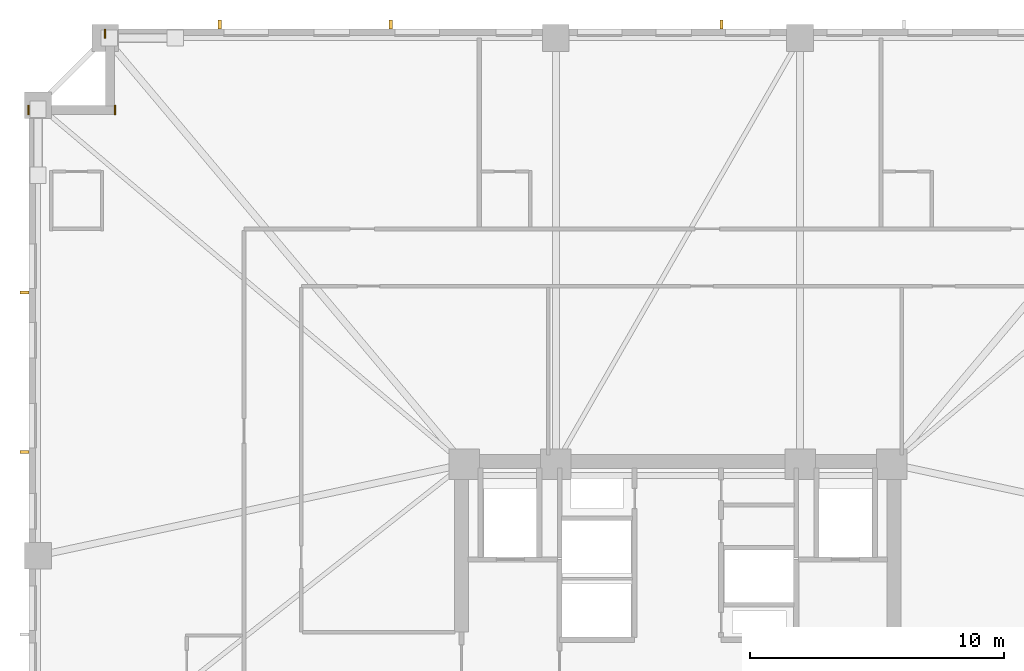
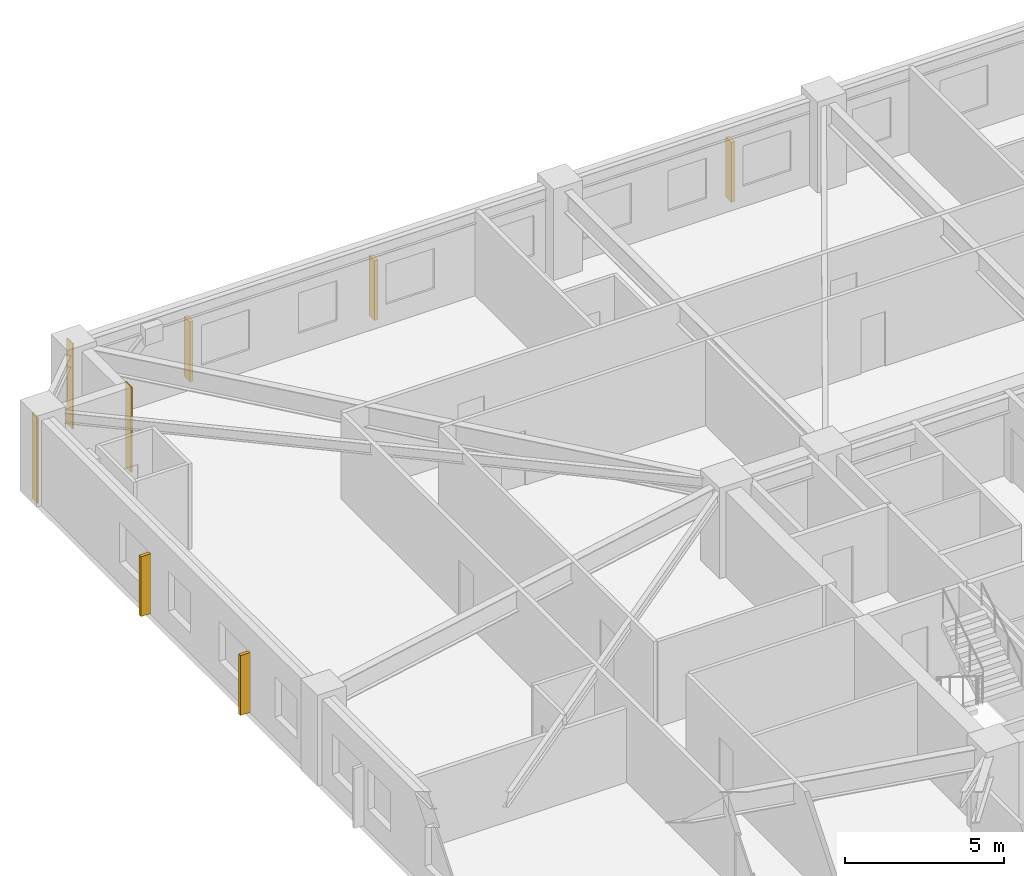
# One storey, part 10 of 11: 5 shading devices, 3 coverings.
"""IFC4 building model written with IfcOpenShell, lengths in metres."""

from ifc_helpers import new_model, si_unit, direction, frame, frame_2d, origin, origin_2d, place, context, subcontext, project, spatial, rectangle, extrude, material, layer, layer_set, type_object, element, save


model = new_model("IFC4")

# Units and contexts
model_context = context("Model", 3, precision=1e-05, world=origin(), true_north=direction((0.0, 1.0)))
body_context = subcontext(model_context, "Body", "Model", "MODEL_VIEW")
ifc_project = project(units=[si_unit("LENGTHUNIT", "METRE"), si_unit("AREAUNIT", "SQUARE_METRE"), si_unit("VOLUMEUNIT", "CUBIC_METRE"), si_unit("PLANEANGLEUNIT", "RADIAN"), si_unit("MASSUNIT", "GRAM", prefix="KILO")], contexts=[model_context])

# Site, building, storey
site_placement = place(None, origin())
site = spatial("IfcSite", under=ifc_project, at=site_placement, CompositionType="ELEMENT")
building_placement = place(site_placement, origin())
building = spatial("IfcBuilding", under=site, at=building_placement, Name="Cairnveth Concourse Tower", CompositionType="ELEMENT")
storey_placement = place(building_placement, frame((0.0, 0.0, 65.5)))
storey = spatial("IfcBuildingStorey", under=building, at=storey_placement, Name="L17", CompositionType="ELEMENT", Elevation=65.5)

# Coverings
ifc_material_1 = material(Name="Dressed Melbourne Bluestone Cladding", Category="masonry")
ifc_layer = layer(ifc_material_1, 0.050048828125)
ifc_layer_set = layer_set([ifc_layer], Name="Dressed Melbourne Bluestone Cladding")
covering_type = type_object("IfcCoveringType", Name="DRESSED BLUESTONE PLINTH CLADDING 50", PredefinedType="CLADDING", material=ifc_layer_set)
for number, where, z_axis, x_axis, name in (
    (1, (26.47998046875, 61.139892578125, 0.0), (0.0, 0.0, 1.0), (0.0, 1.0, 0.0), "Melbourne Bluestone Corner Quoin L17-222"),
    (2, (29.8798828125, 61.139892578125, 0.0), (0.0, 0.0, 1.0), (0.0, 1.0, 0.0), "Melbourne Bluestone Corner Quoin L17-223"),
    (3, (29.47998046875, 64.139892578125, 0.0), (0.0, 0.0, 1.0), (0.0, 1.0, 0.0), "Melbourne Bluestone Corner Quoin L17-224"),
):
    element("IfcCovering", number, at=place(storey_placement, frame(where, z_axis=z_axis, x_axis=x_axis)), inside=storey, type_object=covering_type, Name=name, PredefinedType="CLADDING", context=body_context, shape_type="SweptSolid", body=[
        extrude(rectangle(XDim=0.360107421875, YDim=0.050048828125, at=frame_2d((0.18017578125, 0.0))), origin(), (0.0, 0.0, 1.0), 3.280029296875),
    ])

# Shading devices
ifc_material_2 = material(Name="Architectural Bronze Anodised Aluminium 6063-T6", Category="aluminium")
shading_device_type = type_object("IfcShadingDeviceType", Name="GOTHIC BRONZE VERTICAL LANCET FIN", PredefinedType="USERDEFINED", material=ifc_material_2)
for number, where, z_axis, x_axis, name in (
    (4, (26.324951171875, 47.87646484375, 0.02978515625), (0.0, 0.0, 1.0), (0.0, 1.0, 0.0), "Gothic Bronze Vertical Fin L17-6-9"),
    (5, (26.324951171875, 54.14697265625, 0.02978515625), (0.0, 0.0, 1.0), (0.0, 1.0, 0.0), "Gothic Bronze Vertical Fin L17-6-11"),
    (6, (33.9951171875, 64.675048828125, 0.02978515625), (0.0, 0.0, 1.0), (1.0, 0.0, 0.0), "Gothic Bronze Vertical Fin L17-9-1"),
    (7, (40.715576171875, 64.675048828125, 0.02978515625), (0.0, 0.0, 1.0), (1.0, 0.0, 0.0), "Gothic Bronze Vertical Fin L17-9-3"),
    (8, (53.706298828125, 64.675048828125, 0.02978515625), (0.0, 0.0, 1.0), (1.0, 0.0, 0.0), "Gothic Bronze Vertical Fin L17-9-7"),
):
    element("IfcShadingDevice", number, at=place(storey_placement, frame(where, z_axis=z_axis, x_axis=x_axis)), inside=storey, type_object=shading_device_type, Name=name, ObjectType="VERTICAL FIN", PredefinedType="USERDEFINED", context=body_context, shape_type="SweptSolid", body=[
        extrude(rectangle(XDim=0.1201171875, YDim=0.360107421875, at=origin_2d()), origin(), (0.0, 0.0, 1.0), 2.303955078125),
    ])

save(model, "model.ifc")
